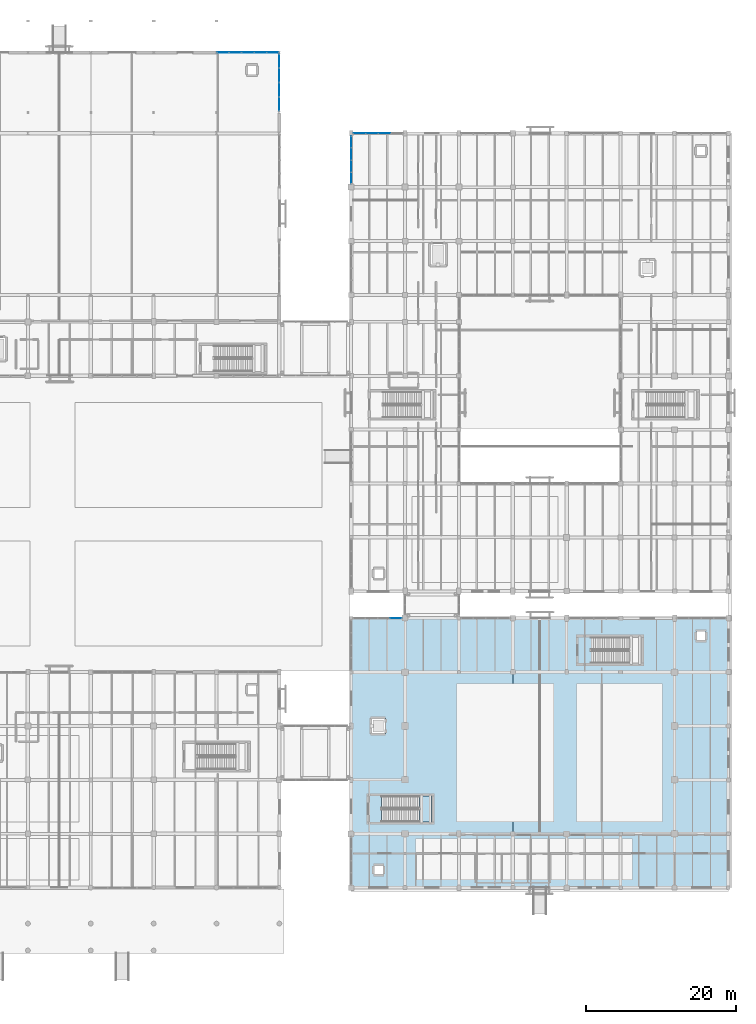
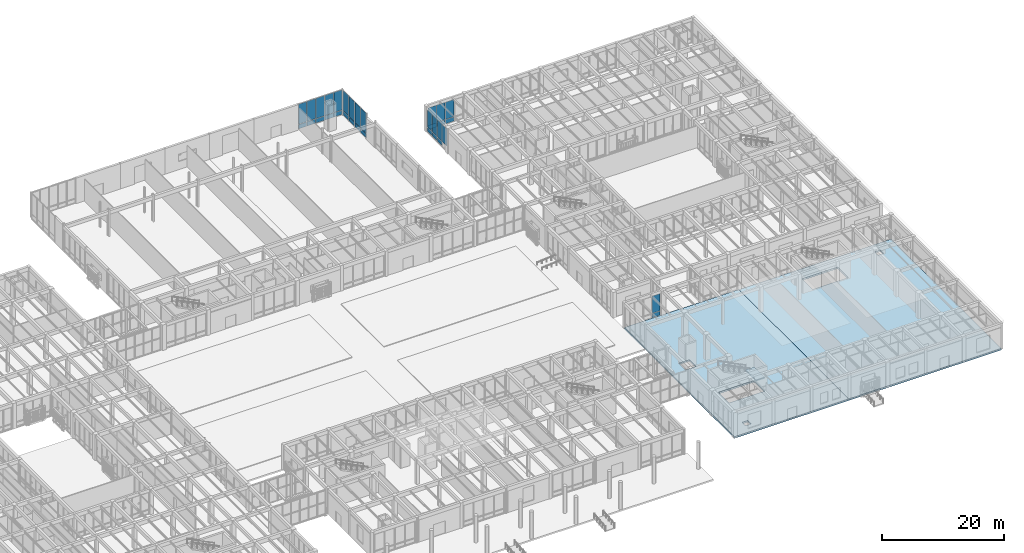
# One storey, part 116 of 169: 33 plates, 3 slabs, 6 elements without a shape of their own.
"""IFC4 building model written with IfcOpenShell, lengths in metres."""

from ifc_helpers import new_model, si_unit, direction, frame, origin, origin_2d, place, context, subcontext, project, spatial, polyline, rectangle, outline, extrude, material, layer, layer_set, type_object, element, aggregate, save


model = new_model("IFC4")

# Units and contexts
model_context = context("Model", 3, precision=1e-05, world=origin(), true_north=direction((0.0, 1.0)))
body_context = subcontext(model_context, "Body", "Model", "MODEL_VIEW")
ifc_project = project(units=[si_unit("LENGTHUNIT", "METRE"), si_unit("AREAUNIT", "SQUARE_METRE"), si_unit("VOLUMEUNIT", "CUBIC_METRE"), si_unit("PLANEANGLEUNIT", "RADIAN"), si_unit("MASSUNIT", "GRAM", prefix="KILO")], contexts=[model_context])

# Site, building, storey
site_placement = place(None, origin())
site = spatial("IfcSite", under=ifc_project, at=site_placement, CompositionType="ELEMENT")
building_placement = place(site_placement, origin())
building = spatial("IfcBuilding", under=site, at=building_placement, Name="Mazaris Harbour Polytechnic", CompositionType="ELEMENT")
storey_placement = place(building_placement, origin())
storey = spatial("IfcBuildingStorey", under=building, at=storey_placement, Name="L00", CompositionType="ELEMENT", Elevation=0.0)

# Curtain wall, plates
ifc_material_1 = material(Name="Anodised Bronze Aluminium and Low-E Glass", Category="aluminium")
ifc_layer_1 = layer(ifc_material_1, 0.14990234375, Name="Anodised Bronze Aluminium and Low-E Glass")
ifc_layer_set_1 = layer_set([ifc_layer_1], Name="Anodised Bronze Aluminium and Low-E Glass")
curtain_wall_type_1 = type_object("IfcCurtainWallType", Name="Workshop Clerestory Curtain Wall", PredefinedType="NOTDEFINED", material=ifc_layer_set_1)
curtain_wall_1_placement = place(storey_placement, origin())
curtain_wall_1 = element("IfcCurtainWall", 1, at=curtain_wall_1_placement, inside=storey, type_object=curtain_wall_type_1, Name="V1 L00 Curtain Wall 6", PredefinedType="NOTDEFINED")
ifc_material_2 = material(Name="Acoustic Low-E Double Glazing", Category="glass")
ifc_layer_2 = layer(ifc_material_2, 0.033935546875, Name="Acoustic Low-E Double Glazing")
ifc_layer_set_2 = layer_set([ifc_layer_2], Name="Acoustic Low-E Double Glazing")
plate_type_1 = type_object("IfcPlateType", Name="Acoustic Laminated Glass Panel 34", PredefinedType="CURTAIN_PANEL", material=ifc_layer_set_2)
plate_1_placement = place(storey_placement, frame((105.271484375, 118.800048828125, 0.080078125), z_axis=(0.0, 0.0, 1.0), x_axis=(1.0, 0.0, 0.0)))
plate_1 = element("IfcPlate", 2, at=plate_1_placement, type_object=plate_type_1, Name="CW-04 panel 1.1", PredefinedType="CURTAIN_PANEL", context=body_context, shape_type="SweptSolid", body=[
    extrude(rectangle(XDim=1.52685546875, YDim=0.033935546875, at=origin_2d()), origin(), (0.0, 0.0, 1.0), 0.830078125),
])
plate_2_placement = place(storey_placement, frame((105.271484375, 118.800048828125, 0.990234375), z_axis=(0.0, 0.0, 1.0), x_axis=(1.0, 0.0, 0.0)))
plate_2 = element("IfcPlate", 3, at=plate_2_placement, type_object=plate_type_1, Name="CW-04 panel 1.2", PredefinedType="CURTAIN_PANEL", context=body_context, shape_type="SweptSolid", body=[
    extrude(rectangle(XDim=1.52685546875, YDim=0.033935546875, at=origin_2d()), origin(), (0.0, 0.0, 1.0), 4.010009765625),
])
plate_3_placement = place(storey_placement, frame((106.923095703125, 118.800048828125, 0.080078125), z_axis=(0.0, 0.0, 1.0), x_axis=(1.0, 0.0, 0.0)))
plate_3 = element("IfcPlate", 4, at=plate_3_placement, type_object=plate_type_1, Name="CW-04 panel 2.1", PredefinedType="CURTAIN_PANEL", context=body_context, shape_type="SweptSolid", body=[
    extrude(rectangle(XDim=1.576904296875, YDim=0.033935546875, at=origin_2d()), origin(), (0.0, 0.0, 1.0), 0.830078125),
])
plate_4_placement = place(storey_placement, frame((106.923095703125, 118.800048828125, 0.990234375), z_axis=(0.0, 0.0, 1.0), x_axis=(1.0, 0.0, 0.0)))
plate_4 = element("IfcPlate", 5, at=plate_4_placement, type_object=plate_type_1, Name="CW-04 panel 2.2", PredefinedType="CURTAIN_PANEL", context=body_context, shape_type="SweptSolid", body=[
    extrude(rectangle(XDim=1.576904296875, YDim=0.033935546875, at=origin_2d()), origin(), (0.0, 0.0, 1.0), 4.010009765625),
])
plate_5_placement = place(storey_placement, frame((108.60009765625, 118.800048828125, 0.080078125), z_axis=(0.0, 0.0, 1.0), x_axis=(1.0, 0.0, 0.0)))
plate_5 = element("IfcPlate", 6, at=plate_5_placement, type_object=plate_type_1, Name="CW-04 panel 3.1", PredefinedType="CURTAIN_PANEL", context=body_context, shape_type="SweptSolid", body=[
    extrude(rectangle(XDim=1.576904296875, YDim=0.033935546875, at=origin_2d()), origin(), (0.0, 0.0, 1.0), 0.830078125),
])
plate_6_placement = place(storey_placement, frame((108.60009765625, 118.800048828125, 0.990234375), z_axis=(0.0, 0.0, 1.0), x_axis=(1.0, 0.0, 0.0)))
plate_6 = element("IfcPlate", 7, at=plate_6_placement, type_object=plate_type_1, Name="CW-04 panel 3.2", PredefinedType="CURTAIN_PANEL", context=body_context, shape_type="SweptSolid", body=[
    extrude(rectangle(XDim=1.576904296875, YDim=0.033935546875, at=origin_2d()), origin(), (0.0, 0.0, 1.0), 4.010009765625),
])
plate_7_placement = place(storey_placement, frame((110.27685546875, 118.800048828125, 0.080078125), z_axis=(0.0, 0.0, 1.0), x_axis=(1.0, 0.0, 0.0)))
plate_7 = element("IfcPlate", 8, at=plate_7_placement, type_object=plate_type_1, Name="CW-04 panel 4.1", PredefinedType="CURTAIN_PANEL", context=body_context, shape_type="SweptSolid", body=[
    extrude(rectangle(XDim=1.576904296875, YDim=0.033935546875, at=origin_2d()), origin(), (0.0, 0.0, 1.0), 0.830078125),
])
plate_8_placement = place(storey_placement, frame((110.27685546875, 118.800048828125, 0.990234375), z_axis=(0.0, 0.0, 1.0), x_axis=(1.0, 0.0, 0.0)))
plate_8 = element("IfcPlate", 9, at=plate_8_placement, type_object=plate_type_1, Name="CW-04 panel 4.2", PredefinedType="CURTAIN_PANEL", context=body_context, shape_type="SweptSolid", body=[
    extrude(rectangle(XDim=1.576904296875, YDim=0.033935546875, at=origin_2d()), origin(), (0.0, 0.0, 1.0), 4.010009765625),
])
plate_9_placement = place(storey_placement, frame((111.9287109375, 118.800048828125, 0.080078125), z_axis=(0.0, 0.0, 1.0), x_axis=(1.0, 0.0, 0.0)))
plate_9 = element("IfcPlate", 10, at=plate_9_placement, type_object=plate_type_1, Name="CW-04 panel 5.1", PredefinedType="CURTAIN_PANEL", context=body_context, shape_type="SweptSolid", body=[
    extrude(rectangle(XDim=1.52685546875, YDim=0.033935546875, at=origin_2d()), origin(), (0.0, 0.0, 1.0), 0.830078125),
])
plate_10_placement = place(storey_placement, frame((111.9287109375, 118.800048828125, 0.990234375), z_axis=(0.0, 0.0, 1.0), x_axis=(1.0, 0.0, 0.0)))
plate_10 = element("IfcPlate", 11, at=plate_10_placement, type_object=plate_type_1, Name="CW-04 panel 5.2", PredefinedType="CURTAIN_PANEL", context=body_context, shape_type="SweptSolid", body=[
    extrude(rectangle(XDim=1.52685546875, YDim=0.033935546875, at=origin_2d()), origin(), (0.0, 0.0, 1.0), 4.010009765625),
])
aggregate(curtain_wall_1, [plate_1, plate_2, plate_3, plate_4, plate_5, plate_6, plate_7, plate_8, plate_9, plate_10])

curtain_wall_2_placement = place(storey_placement, origin())
curtain_wall_2 = element("IfcCurtainWall", 12, at=curtain_wall_2_placement, inside=storey, type_object=curtain_wall_type_1, Name="V1 L00 Curtain Wall 12", PredefinedType="NOTDEFINED")
plate_11_placement = place(storey_placement, frame((112.800048828125, 117.65478515625, 0.080078125), z_axis=(0.0, 0.0, 1.0), x_axis=(0.0, -1.0, 0.0)))
plate_11 = element("IfcPlate", 13, at=plate_11_placement, type_object=plate_type_1, Name="CW-04 panel 1.1", PredefinedType="CURTAIN_PANEL", context=body_context, shape_type="SweptSolid", body=[
    extrude(rectangle(XDim=1.776611328125, YDim=0.033935546875, at=origin_2d()), origin(), (0.0, 0.0, 1.0), 0.830078125),
])
plate_12_placement = place(storey_placement, frame((112.800048828125, 117.65478515625, 0.990234375), z_axis=(0.0, 0.0, 1.0), x_axis=(0.0, -1.0, 0.0)))
plate_12 = element("IfcPlate", 14, at=plate_12_placement, type_object=plate_type_1, Name="CW-04 panel 1.2", PredefinedType="CURTAIN_PANEL", context=body_context, shape_type="SweptSolid", body=[
    extrude(rectangle(XDim=1.776611328125, YDim=0.033935546875, at=origin_2d()), origin(), (0.0, 0.0, 1.0), 4.010009765625),
])
plate_13_placement = place(storey_placement, frame((112.800048828125, 115.753173828125, 0.080078125), z_axis=(0.0, 0.0, 1.0), x_axis=(0.0, -1.0, 0.0)))
plate_13 = element("IfcPlate", 15, at=plate_13_placement, type_object=plate_type_1, Name="CW-04 panel 2.1", PredefinedType="CURTAIN_PANEL", context=body_context, shape_type="SweptSolid", body=[
    extrude(rectangle(XDim=1.826416015625, YDim=0.033935546875, at=origin_2d()), origin(), (0.0, 0.0, 1.0), 0.830078125),
])
plate_14_placement = place(storey_placement, frame((112.800048828125, 115.753173828125, 0.990234375), z_axis=(0.0, 0.0, 1.0), x_axis=(0.0, -1.0, 0.0)))
plate_14 = element("IfcPlate", 16, at=plate_14_placement, type_object=plate_type_1, Name="CW-04 panel 2.2", PredefinedType="CURTAIN_PANEL", context=body_context, shape_type="SweptSolid", body=[
    extrude(rectangle(XDim=1.826416015625, YDim=0.033935546875, at=origin_2d()), origin(), (0.0, 0.0, 1.0), 4.010009765625),
])
plate_15_placement = place(storey_placement, frame((112.800048828125, 113.82666015625, 0.080078125), z_axis=(0.0, 0.0, 1.0), x_axis=(0.0, -1.0, 0.0)))
plate_15 = element("IfcPlate", 17, at=plate_15_placement, type_object=plate_type_1, Name="CW-04 panel 3.1", PredefinedType="CURTAIN_PANEL", context=body_context, shape_type="SweptSolid", body=[
    extrude(rectangle(XDim=1.826416015625, YDim=0.033935546875, at=origin_2d()), origin(), (0.0, 0.0, 1.0), 0.830078125),
])
plate_16_placement = place(storey_placement, frame((112.800048828125, 113.82666015625, 0.990234375), z_axis=(0.0, 0.0, 1.0), x_axis=(0.0, -1.0, 0.0)))
plate_16 = element("IfcPlate", 18, at=plate_16_placement, type_object=plate_type_1, Name="CW-04 panel 3.2", PredefinedType="CURTAIN_PANEL", context=body_context, shape_type="SweptSolid", body=[
    extrude(rectangle(XDim=1.826416015625, YDim=0.033935546875, at=origin_2d()), origin(), (0.0, 0.0, 1.0), 4.010009765625),
])
plate_17_placement = place(storey_placement, frame((112.800048828125, 111.92529296875, 0.080078125), z_axis=(0.0, 0.0, 1.0), x_axis=(0.0, -1.0, 0.0)))
plate_17 = element("IfcPlate", 19, at=plate_17_placement, type_object=plate_type_1, Name="CW-04 panel 4.1", PredefinedType="CURTAIN_PANEL", context=body_context, shape_type="SweptSolid", body=[
    extrude(rectangle(XDim=1.776611328125, YDim=0.033935546875, at=origin_2d()), origin(), (0.0, 0.0, 1.0), 0.830078125),
])
plate_18_placement = place(storey_placement, frame((112.800048828125, 111.92529296875, 0.990234375), z_axis=(0.0, 0.0, 1.0), x_axis=(0.0, -1.0, 0.0)))
plate_18 = element("IfcPlate", 20, at=plate_18_placement, type_object=plate_type_1, Name="CW-04 panel 4.2", PredefinedType="CURTAIN_PANEL", context=body_context, shape_type="SweptSolid", body=[
    extrude(rectangle(XDim=1.776611328125, YDim=0.033935546875, at=origin_2d()), origin(), (0.0, 0.0, 1.0), 4.010009765625),
])
aggregate(curtain_wall_2, [plate_11, plate_12, plate_13, plate_14, plate_15, plate_16, plate_17, plate_18])

ifc_material_3 = material(Name="Anodised Bronze Aluminium and Low-E Glass", Category="aluminium")
ifc_layer_3 = layer(ifc_material_3, 0.159912109375, Name="Anodised Bronze Aluminium and Low-E Glass")
ifc_layer_set_3 = layer_set([ifc_layer_3], Name="Anodised Bronze Aluminium and Low-E Glass")
curtain_wall_type_2 = type_object("IfcCurtainWallType", Name="Cloister Court Curtain Wall", PredefinedType="NOTDEFINED", material=ifc_layer_set_3)
curtain_wall_3_placement = place(storey_placement, origin())
curtain_wall_3 = element("IfcCurtainWall", 21, at=curtain_wall_3_placement, inside=storey, type_object=curtain_wall_type_2, Name="V2 L00 Curtain Wall 37", PredefinedType="NOTDEFINED")
ifc_material_4 = material(Name="Low-E Double Glazing", Category="glass")
ifc_layer_4 = layer(ifc_material_4, 0.028076171875, Name="Low-E Double Glazing")
ifc_layer_set_4 = layer_set([ifc_layer_4], Name="Low-E Double Glazing")
plate_type_2 = type_object("IfcPlateType", Name="Low-E Vision Glass Panel 28", PredefinedType="CURTAIN_PANEL", material=ifc_layer_set_4)
plate_19_placement = place(storey_placement, frame((128.3671875, 43.199951171875, 0.080078125), z_axis=(0.0, 0.0, 1.0), x_axis=(1.0, 0.0, 0.0)))
plate_19 = element("IfcPlate", 22, at=plate_19_placement, type_object=plate_type_2, Name="CW-02 panel 4.1", PredefinedType="CURTAIN_PANEL", context=body_context, shape_type="SweptSolid", body=[
    extrude(rectangle(XDim=1.521484375, YDim=0.028076171875, at=origin_2d()), origin(), (0.0, 0.0, 1.0), 0.830078125),
])
plate_20_placement = place(storey_placement, frame((128.3671875, 43.199951171875, 0.989990234375), z_axis=(0.0, 0.0, 1.0), x_axis=(1.0, 0.0, 0.0)))
plate_20 = element("IfcPlate", 23, at=plate_20_placement, type_object=plate_type_2, Name="CW-02 panel 4.2", PredefinedType="CURTAIN_PANEL", context=body_context, shape_type="SweptSolid", body=[
    extrude(rectangle(XDim=1.521484375, YDim=0.028076171875, at=origin_2d()), origin(), (0.0, 0.0, 1.0), 3.419921875),
])
aggregate(curtain_wall_3, [plate_19, plate_20])

# Slabs
ifc_material_5 = material(Name="Concrete C35/45", Category="concrete")
ifc_layer_5 = layer(ifc_material_5, 0.320068359375, Name="Concrete C35/45")
ifc_layer_set_5 = layer_set([ifc_layer_5], Name="Concrete C35/45")
slab_type_1 = type_object("IfcSlabType", Name="RC Podium Slab 320", PredefinedType="FLOOR", material=ifc_layer_set_5)
slab_1_placement = place(storey_placement, frame((0.0, 0.0, -0.320068359375)))
element("IfcSlab", 24, at=slab_1_placement, inside=storey, type_object=slab_type_1, Name="V2 L00 Floor Slab", PredefinedType="FLOOR", context=body_context, shape_type="SweptSolid", body=[
    extrude(outline(polyline([(122.39990234375, 43.199951171875), (144.0, 43.199951171875), (144.0, 7.199951171875), (122.39990234375, 7.199951171875), (122.39990234375, 43.199951171875)]), holes=[polyline([(126.47509765625, 19.449951171875), (126.47509765625, 16.0), (133.199951171875, 16.0), (133.199951171875, 19.449951171875), (126.47509765625, 19.449951171875)]), polyline([(127.0, 27.699951171875), (127.0, 29.89990234375), (125.0, 29.89990234375), (125.0, 27.699951171875), (127.0, 27.699951171875)]), polyline([(125.5, 9.0), (126.6201171875, 9.0), (126.6201171875, 10.1201171875), (125.5, 10.1201171875), (125.5, 9.0)])]), origin(), (0.0, 0.0, 1.0), 0.320068359375),
])
slab_2_placement = place(storey_placement, frame((0.0, 0.0, -0.320068359375)))
element("IfcSlab", 25, at=slab_2_placement, inside=storey, type_object=slab_type_1, Name="V2 L00 Floor Slab", PredefinedType="FLOOR", context=body_context, shape_type="SweptSolid", body=[
    extrude(outline(polyline([(172.800048828125, 43.199951171875), (172.800048828125, 7.199951171875), (144.0, 7.199951171875), (144.0, 43.199951171875), (172.800048828125, 43.199951171875)]), holes=[polyline([(161.199951171875, 40.64990234375), (154.47509765625, 40.64990234375), (154.47509765625, 37.199951171875), (161.199951171875, 37.199951171875), (161.199951171875, 40.64990234375)]), polyline([(168.580078125, 41.39990234375), (168.580078125, 40.280029296875), (169.699951171875, 40.280029296875), (169.699951171875, 41.39990234375), (168.580078125, 41.39990234375)])]), origin(), (0.0, 0.0, 1.0), 0.320068359375),
])

# Stair, slab
ifc_material_6 = material(Name="Concrete C40/50", Category="concrete")
stair_type = type_object("IfcStairType", Name="Core Exit Stair H5400", PredefinedType="HALF_TURN_STAIR", material=ifc_material_6)
stair_placement = place(storey_placement, origin())
stair = element("IfcStair", 26, at=stair_placement, inside=storey, type_object=stair_type, Name="L00 ST03", PredefinedType="HALF_TURN_STAIR")
ifc_material_7 = material(Name="Concrete C40/50", Category="concrete")
ifc_layer_6 = layer(ifc_material_7, 0.199951171875, Name="Concrete C40/50")
ifc_layer_set_6 = layer_set([ifc_layer_6], Name="Concrete C40/50")
slab_type_2 = type_object("IfcSlabType", Name="RC Stair Landing 200", PredefinedType="LANDING", material=ifc_layer_set_6)
slab_3_placement = place(storey_placement, frame((0.0, 0.0, 2.5)))
slab_3 = element("IfcSlab", 27, at=slab_3_placement, type_object=slab_type_2, Name="ST03 landing 1", PredefinedType="LANDING", context=body_context, shape_type="SweptSolid", body=[
    extrude(outline(polyline([(131.550048828125, 16.0), (133.199951171875, 16.0), (133.199951171875, 19.449951171875), (131.550048828125, 19.449951171875), (131.550048828125, 16.0)])), origin(), (0.0, 0.0, 1.0), 0.199951171875),
])
aggregate(stair, [slab_3])

# Curtain wall, plates
ifc_material_8 = material(Name="Anodised Bronze Aluminium and Low-E Glass", Category="aluminium")
ifc_layer_7 = layer(ifc_material_8, 0.169921875, Name="Anodised Bronze Aluminium and Low-E Glass")
ifc_layer_set_7 = layer_set([ifc_layer_7], Name="Anodised Bronze Aluminium and Low-E Glass")
curtain_wall_type_3 = type_object("IfcCurtainWallType", Name="Studio North-Light Curtain Wall", PredefinedType="NOTDEFINED", material=ifc_layer_set_7)
curtain_wall_4_placement = place(storey_placement, origin())
curtain_wall_4 = element("IfcCurtainWall", 28, at=curtain_wall_4_placement, inside=storey, type_object=curtain_wall_type_3, Name="V5 L00 Curtain Wall 183", PredefinedType="NOTDEFINED")
ifc_material_9 = material(Name="Solar-Control Low-E Glazing", Category="glass")
ifc_layer_8 = layer(ifc_material_9, 0.031982421875, Name="Solar-Control Low-E Glazing")
ifc_layer_set_8 = layer_set([ifc_layer_8], Name="Solar-Control Low-E Glazing")
plate_type_3 = type_object("IfcPlateType", Name="Solar Control Studio Glass Panel 32", PredefinedType="CURTAIN_PANEL", material=ifc_layer_set_8)
plate_21_placement = place(storey_placement, frame((123.50146484375, 108.0, 0.080078125), z_axis=(0.0, 0.0, 1.0), x_axis=(1.0, 0.0, 0.0)))
plate_21 = element("IfcPlate", 29, at=plate_21_placement, type_object=plate_type_3, Name="CW-03 panel 1.1", PredefinedType="CURTAIN_PANEL", context=body_context, shape_type="SweptSolid", body=[
    extrude(rectangle(XDim=1.55908203125, YDim=0.031982421875, at=origin_2d()), origin(), (0.0, 0.0, 1.0), 0.830078125),
])
plate_22_placement = place(storey_placement, frame((123.50146484375, 108.0, 0.989990234375), z_axis=(0.0, 0.0, 1.0), x_axis=(1.0, 0.0, 0.0)))
plate_22 = element("IfcPlate", 30, at=plate_22_placement, type_object=plate_type_3, Name="CW-03 panel 1.2", PredefinedType="CURTAIN_PANEL", context=body_context, shape_type="SweptSolid", body=[
    extrude(rectangle(XDim=1.55908203125, YDim=0.031982421875, at=origin_2d()), origin(), (0.0, 0.0, 1.0), 3.419921875),
])
plate_23_placement = place(storey_placement, frame((125.160400390625, 108.0, 0.080078125), z_axis=(0.0, 0.0, 1.0), x_axis=(1.0, 0.0, 0.0)))
plate_23 = element("IfcPlate", 31, at=plate_23_placement, type_object=plate_type_3, Name="CW-03 panel 2.1", PredefinedType="CURTAIN_PANEL", context=body_context, shape_type="SweptSolid", body=[
    extrude(rectangle(XDim=1.59912109375, YDim=0.031982421875, at=origin_2d()), origin(), (0.0, 0.0, 1.0), 0.830078125),
])
plate_24_placement = place(storey_placement, frame((125.160400390625, 108.0, 0.989990234375), z_axis=(0.0, 0.0, 1.0), x_axis=(1.0, 0.0, 0.0)))
plate_24 = element("IfcPlate", 32, at=plate_24_placement, type_object=plate_type_3, Name="CW-03 panel 2.2", PredefinedType="CURTAIN_PANEL", context=body_context, shape_type="SweptSolid", body=[
    extrude(rectangle(XDim=1.59912109375, YDim=0.031982421875, at=origin_2d()), origin(), (0.0, 0.0, 1.0), 3.419921875),
])
plate_25_placement = place(storey_placement, frame((126.839599609375, 108.0, 0.080078125), z_axis=(0.0, 0.0, 1.0), x_axis=(1.0, 0.0, 0.0)))
plate_25 = element("IfcPlate", 33, at=plate_25_placement, type_object=plate_type_3, Name="CW-03 panel 3.1", PredefinedType="CURTAIN_PANEL", context=body_context, shape_type="SweptSolid", body=[
    extrude(rectangle(XDim=1.59912109375, YDim=0.031982421875, at=origin_2d()), origin(), (0.0, 0.0, 1.0), 0.830078125),
])
plate_26_placement = place(storey_placement, frame((126.839599609375, 108.0, 0.989990234375), z_axis=(0.0, 0.0, 1.0), x_axis=(1.0, 0.0, 0.0)))
plate_26 = element("IfcPlate", 34, at=plate_26_placement, type_object=plate_type_3, Name="CW-03 panel 3.2", PredefinedType="CURTAIN_PANEL", context=body_context, shape_type="SweptSolid", body=[
    extrude(rectangle(XDim=1.59912109375, YDim=0.031982421875, at=origin_2d()), origin(), (0.0, 0.0, 1.0), 3.419921875),
])
aggregate(curtain_wall_4, [plate_21, plate_22, plate_23, plate_24, plate_25, plate_26])

curtain_wall_5_placement = place(storey_placement, origin())
curtain_wall_5 = element("IfcCurtainWall", 35, at=curtain_wall_5_placement, inside=storey, type_object=curtain_wall_type_3, Name="V5 L00 Curtain Wall 190", PredefinedType="NOTDEFINED")
plate_27_placement = place(storey_placement, frame((122.39990234375, 102.020263671875, 0.989990234375), z_axis=(0.0, 0.0, 1.0), x_axis=(0.0, 1.0, 0.0)))
plate_27 = element("IfcPlate", 36, at=plate_27_placement, type_object=plate_type_3, Name="CW-03 panel 1.2", PredefinedType="CURTAIN_PANEL", context=body_context, shape_type="SweptSolid", body=[
    extrude(rectangle(XDim=1.49658203125, YDim=0.031982421875, at=origin_2d()), origin(), (0.0, 0.0, 1.0), 3.419921875),
])
plate_28_placement = place(storey_placement, frame((122.39990234375, 103.61669921875, 0.080078125), z_axis=(0.0, 0.0, 1.0), x_axis=(0.0, 1.0, 0.0)))
plate_28 = element("IfcPlate", 37, at=plate_28_placement, type_object=plate_type_3, Name="CW-03 panel 2.1", PredefinedType="CURTAIN_PANEL", context=body_context, shape_type="SweptSolid", body=[
    extrude(rectangle(XDim=1.53662109375, YDim=0.031982421875, at=origin_2d()), origin(), (0.0, 0.0, 1.0), 0.830078125),
])
plate_29_placement = place(storey_placement, frame((122.39990234375, 103.61669921875, 0.989990234375), z_axis=(0.0, 0.0, 1.0), x_axis=(0.0, 1.0, 0.0)))
plate_29 = element("IfcPlate", 38, at=plate_29_placement, type_object=plate_type_3, Name="CW-03 panel 2.2", PredefinedType="CURTAIN_PANEL", context=body_context, shape_type="SweptSolid", body=[
    extrude(rectangle(XDim=1.53662109375, YDim=0.031982421875, at=origin_2d()), origin(), (0.0, 0.0, 1.0), 3.419921875),
])
plate_30_placement = place(storey_placement, frame((122.39990234375, 105.233154296875, 0.080078125), z_axis=(0.0, 0.0, 1.0), x_axis=(0.0, 1.0, 0.0)))
plate_30 = element("IfcPlate", 39, at=plate_30_placement, type_object=plate_type_3, Name="CW-03 panel 3.1", PredefinedType="CURTAIN_PANEL", context=body_context, shape_type="SweptSolid", body=[
    extrude(rectangle(XDim=1.53662109375, YDim=0.031982421875, at=origin_2d()), origin(), (0.0, 0.0, 1.0), 0.830078125),
])
plate_31_placement = place(storey_placement, frame((122.39990234375, 105.233154296875, 0.989990234375), z_axis=(0.0, 0.0, 1.0), x_axis=(0.0, 1.0, 0.0)))
plate_31 = element("IfcPlate", 40, at=plate_31_placement, type_object=plate_type_3, Name="CW-03 panel 3.2", PredefinedType="CURTAIN_PANEL", context=body_context, shape_type="SweptSolid", body=[
    extrude(rectangle(XDim=1.53662109375, YDim=0.031982421875, at=origin_2d()), origin(), (0.0, 0.0, 1.0), 3.419921875),
])
plate_32_placement = place(storey_placement, frame((122.39990234375, 106.829833984375, 0.080078125), z_axis=(0.0, 0.0, 1.0), x_axis=(0.0, 1.0, 0.0)))
plate_32 = element("IfcPlate", 41, at=plate_32_placement, type_object=plate_type_3, Name="CW-03 panel 4.1", PredefinedType="CURTAIN_PANEL", context=body_context, shape_type="SweptSolid", body=[
    extrude(rectangle(XDim=1.49658203125, YDim=0.031982421875, at=origin_2d()), origin(), (0.0, 0.0, 1.0), 0.830078125),
])
plate_33_placement = place(storey_placement, frame((122.39990234375, 106.829833984375, 0.989990234375), z_axis=(0.0, 0.0, 1.0), x_axis=(0.0, 1.0, 0.0)))
plate_33 = element("IfcPlate", 42, at=plate_33_placement, type_object=plate_type_3, Name="CW-03 panel 4.2", PredefinedType="CURTAIN_PANEL", context=body_context, shape_type="SweptSolid", body=[
    extrude(rectangle(XDim=1.49658203125, YDim=0.031982421875, at=origin_2d()), origin(), (0.0, 0.0, 1.0), 3.419921875),
])
aggregate(curtain_wall_5, [plate_27, plate_28, plate_29, plate_30, plate_31, plate_32, plate_33])

save(model, "model.ifc")
